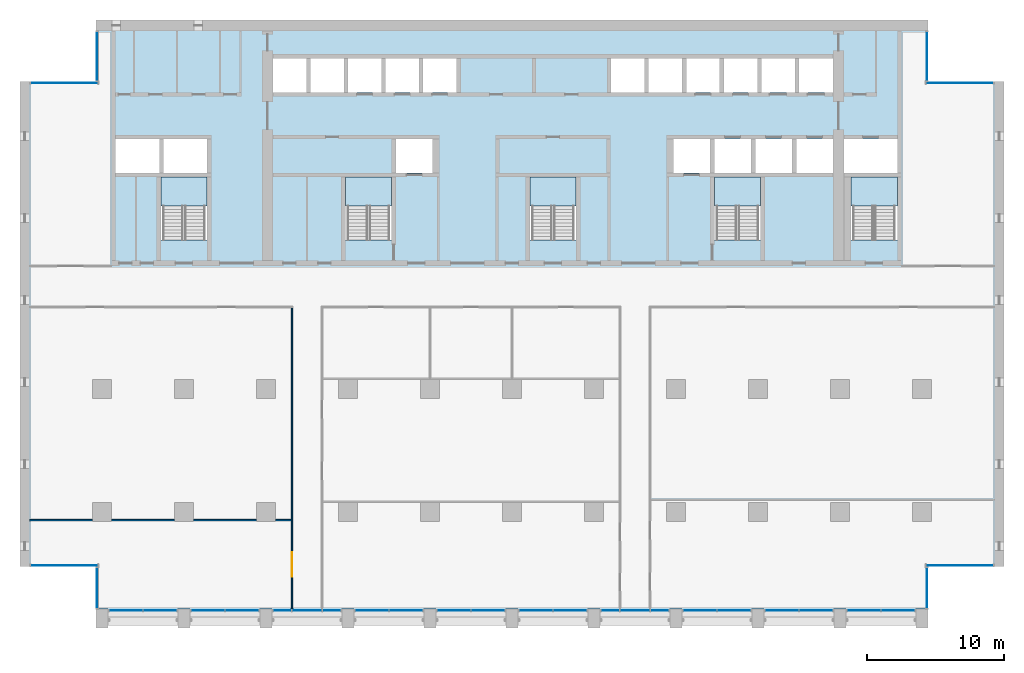
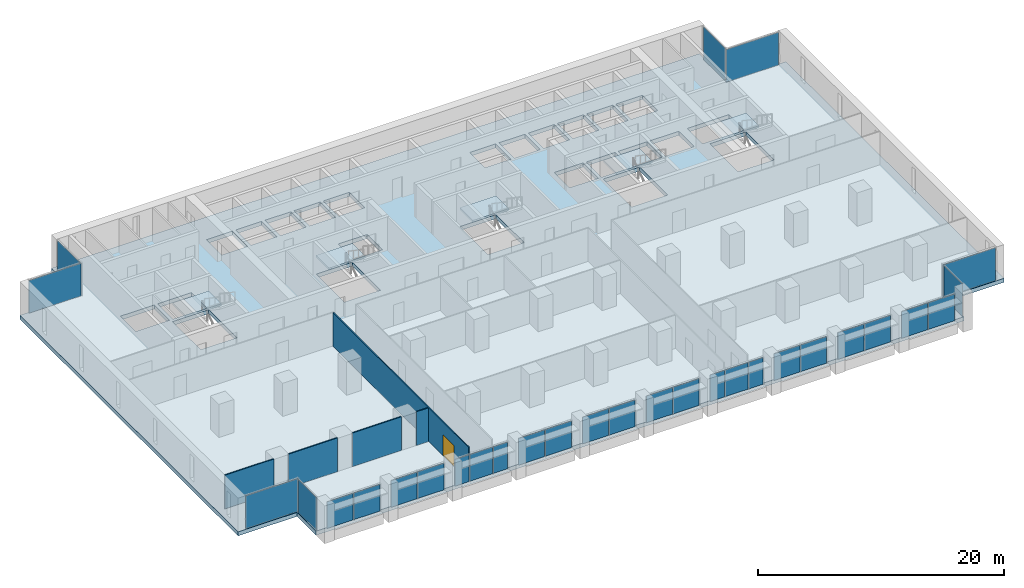
# One storey, part 7 of 15: 30 plates, 6 slabs, 5 walls, 1 door, 1 opening, 23 elements without a shape of their own.
"""IFC4 building model written with IfcOpenShell, lengths in metres."""

from ifc_helpers import new_model, si_unit, direction, frame, frame_2d, origin, origin_2d, place, context, subcontext, project, spatial, polyline, rectangle, outline, extrude, material, layer, layer_set, type_object, element, fill, aggregate, save


model = new_model("IFC4")

# Units and contexts
model_context = context("Model", 3, precision=1e-05, world=origin(), true_north=direction((0.0, 1.0)))
body_context = subcontext(model_context, "Body", "Model", "MODEL_VIEW")
ifc_project = project(units=[si_unit("LENGTHUNIT", "METRE"), si_unit("AREAUNIT", "SQUARE_METRE"), si_unit("VOLUMEUNIT", "CUBIC_METRE"), si_unit("PLANEANGLEUNIT", "RADIAN"), si_unit("MASSUNIT", "GRAM", prefix="KILO")], contexts=[model_context])

# Site, building, storey
site_placement = place(None, origin())
site = spatial("IfcSite", under=ifc_project, at=site_placement, CompositionType="ELEMENT")
building_placement = place(site_placement, origin())
building = spatial("IfcBuilding", under=site, at=building_placement, Name="Calvaro Tower", CompositionType="ELEMENT")
storey_placement = place(building_placement, frame((0.0, 0.0, 110.0)))
storey = spatial("IfcBuildingStorey", under=building, at=storey_placement, Name="L27", CompositionType="ELEMENT", Elevation=110.0)

# Slab
ifc_material_1 = material(Name="Concrete C40/50", Category="concrete")
ifc_layer_1 = layer(ifc_material_1, 0.39990234375)
ifc_layer_set_1 = layer_set([ifc_layer_1], Name="Concrete C40/50")
slab_type_1 = type_object("IfcSlabType", Name="Floor slab 400 C40/50", PredefinedType="FLOOR", material=ifc_layer_set_1)
slab_1_placement = place(storey_placement, frame((0.0, 0.0, -0.39990234375)))
element("IfcSlab", 1, at=slab_1_placement, inside=storey, type_object=slab_type_1, Name="Floor slab", PredefinedType="FLOOR", context=body_context, shape_type="SweptSolid", body=[
    extrude(outline(polyline([(66.449951171875, 6.0), (66.449951171875, 2.89990234375), (5.550048828125, 2.89990234375), (5.550048828125, 6.0), (0.0, 6.0), (0.0, 41.5), (5.550048828125, 41.5), (5.550048828125, 46.0), (66.449951171875, 46.0), (66.449951171875, 41.5), (72.0, 41.5), (72.0, 6.0), (66.449951171875, 6.0)]), holes=[polyline([(10.300048828125, 29.909912109375), (10.300048828125, 34.5), (12.0, 34.5), (13.699951171875, 34.5), (13.699951171875, 29.909912109375), (12.0, 29.909912109375), (10.300048828125, 29.909912109375)]), polyline([(23.800048828125, 29.909912109375), (23.800048828125, 34.5), (25.5, 34.5), (27.199951171875, 34.5), (27.199951171875, 29.909912109375), (25.5, 29.909912109375), (23.800048828125, 29.909912109375)]), polyline([(37.300048828125, 29.909912109375), (37.300048828125, 34.5), (39.0, 34.5), (40.699951171875, 34.5), (40.699951171875, 29.909912109375), (39.0, 29.909912109375), (37.300048828125, 29.909912109375)]), polyline([(50.800048828125, 29.909912109375), (50.800048828125, 34.5), (52.5, 34.5), (54.199951171875, 34.5), (54.199951171875, 29.909912109375), (52.5, 29.909912109375), (50.800048828125, 29.909912109375)]), polyline([(60.800048828125, 29.909912109375), (60.800048828125, 34.5), (62.5, 34.5), (64.199951171875, 34.5), (64.199951171875, 29.909912109375), (62.5, 29.909912109375), (60.800048828125, 29.909912109375)]), polyline([(50.800048828125, 34.800048828125), (53.5, 34.800048828125), (53.5, 37.300048828125), (50.800048828125, 37.300048828125), (50.800048828125, 34.800048828125)]), polyline([(53.800048828125, 34.800048828125), (56.5, 34.800048828125), (56.5, 37.300048828125), (53.800048828125, 37.300048828125), (53.800048828125, 34.800048828125)]), polyline([(56.800048828125, 34.800048828125), (59.5, 34.800048828125), (59.5, 37.300048828125), (56.800048828125, 37.300048828125), (56.800048828125, 34.800048828125)]), polyline([(18.5, 40.699951171875), (20.949951171875, 40.699951171875), (20.949951171875, 43.199951171875), (18.5, 43.199951171875), (18.5, 40.699951171875)]), polyline([(21.25, 40.699951171875), (23.699951171875, 40.699951171875), (23.699951171875, 43.199951171875), (21.25, 43.199951171875), (21.25, 40.699951171875)]), polyline([(24.0, 40.699951171875), (26.449951171875, 40.699951171875), (26.449951171875, 43.199951171875), (24.0, 43.199951171875), (24.0, 40.699951171875)]), polyline([(26.75, 40.699951171875), (29.199951171875, 40.699951171875), (29.199951171875, 43.199951171875), (26.75, 43.199951171875), (26.75, 40.699951171875)]), polyline([(29.5, 40.699951171875), (31.949951171875, 40.699951171875), (31.949951171875, 43.199951171875), (29.5, 43.199951171875), (29.5, 40.699951171875)]), polyline([(43.25, 40.699951171875), (45.699951171875, 40.699951171875), (45.699951171875, 43.199951171875), (43.25, 43.199951171875), (43.25, 40.699951171875)]), polyline([(46.0, 40.699951171875), (48.449951171875, 40.699951171875), (48.449951171875, 43.199951171875), (46.0, 43.199951171875), (46.0, 40.699951171875)]), polyline([(48.75, 40.699951171875), (51.199951171875, 40.699951171875), (51.199951171875, 43.199951171875), (48.75, 43.199951171875), (48.75, 40.699951171875)]), polyline([(51.5, 40.699951171875), (53.949951171875, 40.699951171875), (53.949951171875, 43.199951171875), (51.5, 43.199951171875), (51.5, 40.699951171875)]), polyline([(54.25, 40.699951171875), (56.699951171875, 40.699951171875), (56.699951171875, 43.199951171875), (54.25, 43.199951171875), (54.25, 40.699951171875)]), polyline([(57.0, 40.699951171875), (59.5, 40.699951171875), (59.5, 43.199951171875), (57.0, 43.199951171875), (57.0, 40.699951171875)]), polyline([(7.0, 34.800048828125), (10.199951171875, 34.800048828125), (10.199951171875, 37.300048828125), (7.0, 37.300048828125), (7.0, 34.800048828125)]), polyline([(10.5, 34.800048828125), (13.699951171875, 34.800048828125), (13.699951171875, 37.300048828125), (10.5, 37.300048828125), (10.5, 34.800048828125)]), polyline([(60.300048828125, 34.800048828125), (64.199951171875, 34.800048828125), (64.199951171875, 37.300048828125), (60.300048828125, 37.300048828125), (60.300048828125, 34.800048828125)]), polyline([(27.5, 34.800048828125), (30.199951171875, 34.800048828125), (30.199951171875, 37.300048828125), (27.5, 37.300048828125), (27.5, 34.800048828125)]), polyline([(47.800048828125, 34.800048828125), (50.5, 34.800048828125), (50.5, 37.300048828125), (47.800048828125, 37.300048828125), (47.800048828125, 34.800048828125)])]), origin(), (0.0, 0.0, 1.0), 0.39990234375),
])

# Curtain wall, plates
ifc_material_2 = material(Name="Anodised aluminium", Category="aluminium")
curtain_wall_type = type_object("IfcCurtainWallType", Name="Office curtain wall, middle zone", PredefinedType="NOTDEFINED", material=ifc_material_2)
curtain_wall_1_placement = place(storey_placement, origin())
curtain_wall_1 = element("IfcCurtainWall", 2, at=curtain_wall_1_placement, inside=storey, type_object=curtain_wall_type, Name="CW2 south curtain wall", PredefinedType="NOTDEFINED")
ifc_material_3 = material(Name="Glass", Category="glass")
ifc_layer_2 = layer(ifc_material_3, 0.031982421875)
ifc_layer_set_2 = layer_set([ifc_layer_2], Name="Glass")
plate_type = type_object("IfcPlateType", Name="Glass panel S2 32", PredefinedType="CURTAIN_PANEL", material=ifc_layer_set_2)
plate_1_placement = place(storey_placement, frame((7.742431640625, 2.800048828125, 0.0), z_axis=(0.0, 0.0, 1.0), x_axis=(1.0, 0.0, 0.0)))
plate_1 = element("IfcPlate", 3, at=plate_1_placement, type_object=plate_type, Name="CW2 glass panel 1.1", PredefinedType="CURTAIN_PANEL", context=body_context, shape_type="SweptSolid", body=[
    extrude(rectangle(XDim=2.445068359375, YDim=0.031982421875, at=origin_2d()), origin(), (0.0, 0.0, 1.0), 2.64990234375),
])
plate_2_placement = place(storey_placement, frame((10.257568359375, 2.800048828125, 0.0), z_axis=(0.0, 0.0, 1.0), x_axis=(1.0, 0.0, 0.0)))
plate_2 = element("IfcPlate", 4, at=plate_2_placement, type_object=plate_type, Name="CW2 glass panel 2.1", PredefinedType="CURTAIN_PANEL", context=body_context, shape_type="SweptSolid", body=[
    extrude(rectangle(XDim=2.445068359375, YDim=0.031982421875, at=origin_2d()), origin(), (0.0, 0.0, 1.0), 2.64990234375),
])
aggregate(curtain_wall_1, [plate_1, plate_2])

curtain_wall_2_placement = place(storey_placement, origin())
curtain_wall_2 = element("IfcCurtainWall", 5, at=curtain_wall_2_placement, inside=storey, type_object=curtain_wall_type, Name="CW2 south curtain wall", PredefinedType="NOTDEFINED")
plate_3_placement = place(storey_placement, frame((13.742431640625, 2.800048828125, 0.0), z_axis=(0.0, 0.0, 1.0), x_axis=(1.0, 0.0, 0.0)))
plate_3 = element("IfcPlate", 6, at=plate_3_placement, type_object=plate_type, Name="CW2 glass panel 1.1", PredefinedType="CURTAIN_PANEL", context=body_context, shape_type="SweptSolid", body=[
    extrude(rectangle(XDim=2.445068359375, YDim=0.031982421875, at=origin_2d()), origin(), (0.0, 0.0, 1.0), 2.64990234375),
])
plate_4_placement = place(storey_placement, frame((16.257568359375, 2.800048828125, 0.0), z_axis=(0.0, 0.0, 1.0), x_axis=(1.0, 0.0, 0.0)))
plate_4 = element("IfcPlate", 7, at=plate_4_placement, type_object=plate_type, Name="CW2 glass panel 2.1", PredefinedType="CURTAIN_PANEL", context=body_context, shape_type="SweptSolid", body=[
    extrude(rectangle(XDim=2.445068359375, YDim=0.031982421875, at=origin_2d()), origin(), (0.0, 0.0, 1.0), 2.64990234375),
])
aggregate(curtain_wall_2, [plate_3, plate_4])

curtain_wall_3_placement = place(storey_placement, origin())
curtain_wall_3 = element("IfcCurtainWall", 8, at=curtain_wall_3_placement, inside=storey, type_object=curtain_wall_type, Name="CW2 south curtain wall", PredefinedType="NOTDEFINED")
plate_5_placement = place(storey_placement, frame((19.1923828125, 2.800048828125, 0.0), z_axis=(0.0, 0.0, 1.0), x_axis=(1.0, 0.0, 0.0)))
plate_5 = element("IfcPlate", 9, at=plate_5_placement, type_object=plate_type, Name="CW2 glass panel 1.1", PredefinedType="CURTAIN_PANEL", context=body_context, shape_type="SweptSolid", body=[
    extrude(rectangle(XDim=1.344970703125, YDim=0.031982421875, at=origin_2d()), origin(), (0.0, 0.0, 1.0), 2.64990234375),
])
plate_6_placement = place(storey_placement, frame((21.0, 2.800048828125, 0.0), z_axis=(0.0, 0.0, 1.0), x_axis=(1.0, 0.0, 0.0)))
plate_6 = element("IfcPlate", 10, at=plate_6_placement, type_object=plate_type, Name="CW2 glass panel 2.1", PredefinedType="CURTAIN_PANEL", context=body_context, shape_type="SweptSolid", body=[
    extrude(rectangle(XDim=2.1298828125, YDim=0.031982421875, at=origin_2d()), origin(), (0.0, 0.0, 1.0), 2.64990234375),
])
plate_7_placement = place(storey_placement, frame((22.8076171875, 2.800048828125, 0.0), z_axis=(0.0, 0.0, 1.0), x_axis=(1.0, 0.0, 0.0)))
plate_7 = element("IfcPlate", 11, at=plate_7_placement, type_object=plate_type, Name="CW2 glass panel 3.1", PredefinedType="CURTAIN_PANEL", context=body_context, shape_type="SweptSolid", body=[
    extrude(rectangle(XDim=1.344970703125, YDim=0.031982421875, at=origin_2d()), origin(), (0.0, 0.0, 1.0), 2.64990234375),
])
aggregate(curtain_wall_3, [plate_5, plate_6, plate_7])

curtain_wall_4_placement = place(storey_placement, origin())
curtain_wall_4 = element("IfcCurtainWall", 12, at=curtain_wall_4_placement, inside=storey, type_object=curtain_wall_type, Name="CW2 south curtain wall", PredefinedType="NOTDEFINED")
plate_8_placement = place(storey_placement, frame((25.742431640625, 2.800048828125, 0.0), z_axis=(0.0, 0.0, 1.0), x_axis=(1.0, 0.0, 0.0)))
plate_8 = element("IfcPlate", 13, at=plate_8_placement, type_object=plate_type, Name="CW2 glass panel 1.1", PredefinedType="CURTAIN_PANEL", context=body_context, shape_type="SweptSolid", body=[
    extrude(rectangle(XDim=2.445068359375, YDim=0.031982421875, at=origin_2d()), origin(), (0.0, 0.0, 1.0), 2.64990234375),
])
plate_9_placement = place(storey_placement, frame((28.257568359375, 2.800048828125, 0.0), z_axis=(0.0, 0.0, 1.0), x_axis=(1.0, 0.0, 0.0)))
plate_9 = element("IfcPlate", 14, at=plate_9_placement, type_object=plate_type, Name="CW2 glass panel 2.1", PredefinedType="CURTAIN_PANEL", context=body_context, shape_type="SweptSolid", body=[
    extrude(rectangle(XDim=2.445068359375, YDim=0.031982421875, at=origin_2d()), origin(), (0.0, 0.0, 1.0), 2.64990234375),
])
aggregate(curtain_wall_4, [plate_8, plate_9])

curtain_wall_5_placement = place(storey_placement, origin())
curtain_wall_5 = element("IfcCurtainWall", 15, at=curtain_wall_5_placement, inside=storey, type_object=curtain_wall_type, Name="CW2 south curtain wall", PredefinedType="NOTDEFINED")
plate_10_placement = place(storey_placement, frame((31.742431640625, 2.800048828125, 0.0), z_axis=(0.0, 0.0, 1.0), x_axis=(1.0, 0.0, 0.0)))
plate_10 = element("IfcPlate", 16, at=plate_10_placement, type_object=plate_type, Name="CW2 glass panel 1.1", PredefinedType="CURTAIN_PANEL", context=body_context, shape_type="SweptSolid", body=[
    extrude(rectangle(XDim=2.445068359375, YDim=0.031982421875, at=origin_2d()), origin(), (0.0, 0.0, 1.0), 2.64990234375),
])
plate_11_placement = place(storey_placement, frame((34.257568359375, 2.800048828125, 0.0), z_axis=(0.0, 0.0, 1.0), x_axis=(1.0, 0.0, 0.0)))
plate_11 = element("IfcPlate", 17, at=plate_11_placement, type_object=plate_type, Name="CW2 glass panel 2.1", PredefinedType="CURTAIN_PANEL", context=body_context, shape_type="SweptSolid", body=[
    extrude(rectangle(XDim=2.445068359375, YDim=0.031982421875, at=origin_2d()), origin(), (0.0, 0.0, 1.0), 2.64990234375),
])
aggregate(curtain_wall_5, [plate_10, plate_11])

curtain_wall_6_placement = place(storey_placement, origin())
curtain_wall_6 = element("IfcCurtainWall", 18, at=curtain_wall_6_placement, inside=storey, type_object=curtain_wall_type, Name="CW2 south curtain wall", PredefinedType="NOTDEFINED")
plate_12_placement = place(storey_placement, frame((37.742431640625, 2.800048828125, 0.0), z_axis=(0.0, 0.0, 1.0), x_axis=(1.0, 0.0, 0.0)))
plate_12 = element("IfcPlate", 19, at=plate_12_placement, type_object=plate_type, Name="CW2 glass panel 1.1", PredefinedType="CURTAIN_PANEL", context=body_context, shape_type="SweptSolid", body=[
    extrude(rectangle(XDim=2.445068359375, YDim=0.031982421875, at=origin_2d()), origin(), (0.0, 0.0, 1.0), 2.64990234375),
])
plate_13_placement = place(storey_placement, frame((40.257568359375, 2.800048828125, 0.0), z_axis=(0.0, 0.0, 1.0), x_axis=(1.0, 0.0, 0.0)))
plate_13 = element("IfcPlate", 20, at=plate_13_placement, type_object=plate_type, Name="CW2 glass panel 2.1", PredefinedType="CURTAIN_PANEL", context=body_context, shape_type="SweptSolid", body=[
    extrude(rectangle(XDim=2.445068359375, YDim=0.031982421875, at=origin_2d()), origin(), (0.0, 0.0, 1.0), 2.64990234375),
])
aggregate(curtain_wall_6, [plate_12, plate_13])

curtain_wall_7_placement = place(storey_placement, origin())
curtain_wall_7 = element("IfcCurtainWall", 21, at=curtain_wall_7_placement, inside=storey, type_object=curtain_wall_type, Name="CW2 south curtain wall", PredefinedType="NOTDEFINED")
plate_14_placement = place(storey_placement, frame((43.1923828125, 2.800048828125, 0.0), z_axis=(0.0, 0.0, 1.0), x_axis=(1.0, 0.0, 0.0)))
plate_14 = element("IfcPlate", 22, at=plate_14_placement, type_object=plate_type, Name="CW2 glass panel 1.1", PredefinedType="CURTAIN_PANEL", context=body_context, shape_type="SweptSolid", body=[
    extrude(rectangle(XDim=1.344970703125, YDim=0.031982421875, at=origin_2d()), origin(), (0.0, 0.0, 1.0), 2.64990234375),
])
plate_15_placement = place(storey_placement, frame((45.0, 2.800048828125, 0.0), z_axis=(0.0, 0.0, 1.0), x_axis=(1.0, 0.0, 0.0)))
plate_15 = element("IfcPlate", 23, at=plate_15_placement, type_object=plate_type, Name="CW2 glass panel 2.1", PredefinedType="CURTAIN_PANEL", context=body_context, shape_type="SweptSolid", body=[
    extrude(rectangle(XDim=2.1298828125, YDim=0.031982421875, at=origin_2d()), origin(), (0.0, 0.0, 1.0), 2.64990234375),
])
plate_16_placement = place(storey_placement, frame((46.8076171875, 2.800048828125, 0.0), z_axis=(0.0, 0.0, 1.0), x_axis=(1.0, 0.0, 0.0)))
plate_16 = element("IfcPlate", 24, at=plate_16_placement, type_object=plate_type, Name="CW2 glass panel 3.1", PredefinedType="CURTAIN_PANEL", context=body_context, shape_type="SweptSolid", body=[
    extrude(rectangle(XDim=1.344970703125, YDim=0.031982421875, at=origin_2d()), origin(), (0.0, 0.0, 1.0), 2.64990234375),
])
aggregate(curtain_wall_7, [plate_14, plate_15, plate_16])

curtain_wall_8_placement = place(storey_placement, origin())
curtain_wall_8 = element("IfcCurtainWall", 25, at=curtain_wall_8_placement, inside=storey, type_object=curtain_wall_type, Name="CW2 south curtain wall", PredefinedType="NOTDEFINED")
plate_17_placement = place(storey_placement, frame((49.742431640625, 2.800048828125, 0.0), z_axis=(0.0, 0.0, 1.0), x_axis=(1.0, 0.0, 0.0)))
plate_17 = element("IfcPlate", 26, at=plate_17_placement, type_object=plate_type, Name="CW2 glass panel 1.1", PredefinedType="CURTAIN_PANEL", context=body_context, shape_type="SweptSolid", body=[
    extrude(rectangle(XDim=2.445068359375, YDim=0.031982421875, at=origin_2d()), origin(), (0.0, 0.0, 1.0), 2.64990234375),
])
plate_18_placement = place(storey_placement, frame((52.257568359375, 2.800048828125, 0.0), z_axis=(0.0, 0.0, 1.0), x_axis=(1.0, 0.0, 0.0)))
plate_18 = element("IfcPlate", 27, at=plate_18_placement, type_object=plate_type, Name="CW2 glass panel 2.1", PredefinedType="CURTAIN_PANEL", context=body_context, shape_type="SweptSolid", body=[
    extrude(rectangle(XDim=2.445068359375, YDim=0.031982421875, at=origin_2d()), origin(), (0.0, 0.0, 1.0), 2.64990234375),
])
aggregate(curtain_wall_8, [plate_17, plate_18])

curtain_wall_9_placement = place(storey_placement, origin())
curtain_wall_9 = element("IfcCurtainWall", 28, at=curtain_wall_9_placement, inside=storey, type_object=curtain_wall_type, Name="CW2 south curtain wall", PredefinedType="NOTDEFINED")
plate_19_placement = place(storey_placement, frame((55.742431640625, 2.800048828125, 0.0), z_axis=(0.0, 0.0, 1.0), x_axis=(1.0, 0.0, 0.0)))
plate_19 = element("IfcPlate", 29, at=plate_19_placement, type_object=plate_type, Name="CW2 glass panel 1.1", PredefinedType="CURTAIN_PANEL", context=body_context, shape_type="SweptSolid", body=[
    extrude(rectangle(XDim=2.445068359375, YDim=0.031982421875, at=origin_2d()), origin(), (0.0, 0.0, 1.0), 2.64990234375),
])
plate_20_placement = place(storey_placement, frame((58.257568359375, 2.800048828125, 0.0), z_axis=(0.0, 0.0, 1.0), x_axis=(1.0, 0.0, 0.0)))
plate_20 = element("IfcPlate", 30, at=plate_20_placement, type_object=plate_type, Name="CW2 glass panel 2.1", PredefinedType="CURTAIN_PANEL", context=body_context, shape_type="SweptSolid", body=[
    extrude(rectangle(XDim=2.445068359375, YDim=0.031982421875, at=origin_2d()), origin(), (0.0, 0.0, 1.0), 2.64990234375),
])
aggregate(curtain_wall_9, [plate_19, plate_20])

curtain_wall_10_placement = place(storey_placement, origin())
curtain_wall_10 = element("IfcCurtainWall", 31, at=curtain_wall_10_placement, inside=storey, type_object=curtain_wall_type, Name="CW2 south curtain wall", PredefinedType="NOTDEFINED")
plate_21_placement = place(storey_placement, frame((61.742431640625, 2.800048828125, 0.0), z_axis=(0.0, 0.0, 1.0), x_axis=(1.0, 0.0, 0.0)))
plate_21 = element("IfcPlate", 32, at=plate_21_placement, type_object=plate_type, Name="CW2 glass panel 1.1", PredefinedType="CURTAIN_PANEL", context=body_context, shape_type="SweptSolid", body=[
    extrude(rectangle(XDim=2.445068359375, YDim=0.031982421875, at=origin_2d()), origin(), (0.0, 0.0, 1.0), 2.64990234375),
])
plate_22_placement = place(storey_placement, frame((64.257568359375, 2.800048828125, 0.0), z_axis=(0.0, 0.0, 1.0), x_axis=(1.0, 0.0, 0.0)))
plate_22 = element("IfcPlate", 33, at=plate_22_placement, type_object=plate_type, Name="CW2 glass panel 2.1", PredefinedType="CURTAIN_PANEL", context=body_context, shape_type="SweptSolid", body=[
    extrude(rectangle(XDim=2.445068359375, YDim=0.031982421875, at=origin_2d()), origin(), (0.0, 0.0, 1.0), 2.64990234375),
])
aggregate(curtain_wall_10, [plate_21, plate_22])

# Curtain wall, plate
curtain_wall_11_placement = place(storey_placement, origin())
curtain_wall_11 = element("IfcCurtainWall", 34, at=curtain_wall_11_placement, inside=storey, type_object=curtain_wall_type, Name="CW2 corner curtain wall", PredefinedType="NOTDEFINED")
plate_23_placement = place(storey_placement, frame((5.64990234375, 4.449951171875, 0.0), z_axis=(0.0, 0.0, 1.0), x_axis=(0.0, 1.0, 0.0)))
plate_23 = element("IfcPlate", 35, at=plate_23_placement, type_object=plate_type, Name="CW2 glass panel 1.1", PredefinedType="CURTAIN_PANEL", context=body_context, shape_type="SweptSolid", body=[
    extrude(rectangle(XDim=2.9599609375, YDim=0.031982421875, at=origin_2d()), origin(), (0.0, 0.0, 1.0), 3.25),
])
aggregate(curtain_wall_11, [plate_23])

curtain_wall_12_placement = place(storey_placement, origin())
curtain_wall_12 = element("IfcCurtainWall", 36, at=curtain_wall_12_placement, inside=storey, type_object=curtain_wall_type, Name="CW2 corner curtain wall", PredefinedType="NOTDEFINED")
plate_24_placement = place(storey_placement, frame((3.22509765625, 6.10009765625, 0.0), z_axis=(0.0, 0.0, 1.0), x_axis=(1.0, 0.0, 0.0)))
plate_24 = element("IfcPlate", 37, at=plate_24_placement, type_object=plate_type, Name="CW2 glass panel 1.1", PredefinedType="CURTAIN_PANEL", context=body_context, shape_type="SweptSolid", body=[
    extrude(rectangle(XDim=4.909912109375, YDim=0.031982421875, at=origin_2d()), origin(), (0.0, 0.0, 1.0), 3.25),
])
aggregate(curtain_wall_12, [plate_24])

curtain_wall_13_placement = place(storey_placement, origin())
curtain_wall_13 = element("IfcCurtainWall", 38, at=curtain_wall_13_placement, inside=storey, type_object=curtain_wall_type, Name="CW2 corner curtain wall", PredefinedType="NOTDEFINED")
plate_25_placement = place(storey_placement, frame((5.64990234375, 43.35009765625, 0.0), z_axis=(0.0, 0.0, 1.0), x_axis=(0.0, 1.0, 0.0)))
plate_25 = element("IfcPlate", 39, at=plate_25_placement, type_object=plate_type, Name="CW2 glass panel 1.1", PredefinedType="CURTAIN_PANEL", context=body_context, shape_type="SweptSolid", body=[
    extrude(rectangle(XDim=3.56005859375, YDim=0.031982421875, at=origin_2d()), origin(), (0.0, 0.0, 1.0), 3.25),
])
aggregate(curtain_wall_13, [plate_25])

curtain_wall_14_placement = place(storey_placement, origin())
curtain_wall_14 = element("IfcCurtainWall", 40, at=curtain_wall_14_placement, inside=storey, type_object=curtain_wall_type, Name="CW2 corner curtain wall", PredefinedType="NOTDEFINED")
plate_26_placement = place(storey_placement, frame((3.22509765625, 41.39990234375, 0.0), z_axis=(0.0, 0.0, 1.0), x_axis=(1.0, 0.0, 0.0)))
plate_26 = element("IfcPlate", 41, at=plate_26_placement, type_object=plate_type, Name="CW2 glass panel 1.1", PredefinedType="CURTAIN_PANEL", context=body_context, shape_type="SweptSolid", body=[
    extrude(rectangle(XDim=4.909912109375, YDim=0.031982421875, at=origin_2d()), origin(), (0.0, 0.0, 1.0), 3.25),
])
aggregate(curtain_wall_14, [plate_26])

curtain_wall_15_placement = place(storey_placement, origin())
curtain_wall_15 = element("IfcCurtainWall", 42, at=curtain_wall_15_placement, inside=storey, type_object=curtain_wall_type, Name="CW2 corner curtain wall", PredefinedType="NOTDEFINED")
plate_27_placement = place(storey_placement, frame((66.35009765625, 4.449951171875, 0.0), z_axis=(0.0, 0.0, 1.0), x_axis=(0.0, 1.0, 0.0)))
plate_27 = element("IfcPlate", 43, at=plate_27_placement, type_object=plate_type, Name="CW2 glass panel 1.1", PredefinedType="CURTAIN_PANEL", context=body_context, shape_type="SweptSolid", body=[
    extrude(rectangle(XDim=2.9599609375, YDim=0.031982421875, at=origin_2d()), origin(), (0.0, 0.0, 1.0), 3.25),
])
aggregate(curtain_wall_15, [plate_27])

curtain_wall_16_placement = place(storey_placement, origin())
curtain_wall_16 = element("IfcCurtainWall", 44, at=curtain_wall_16_placement, inside=storey, type_object=curtain_wall_type, Name="CW2 corner curtain wall", PredefinedType="NOTDEFINED")
plate_28_placement = place(storey_placement, frame((68.77490234375, 6.10009765625, 0.0), z_axis=(0.0, 0.0, 1.0), x_axis=(1.0, 0.0, 0.0)))
plate_28 = element("IfcPlate", 45, at=plate_28_placement, type_object=plate_type, Name="CW2 glass panel 1.1", PredefinedType="CURTAIN_PANEL", context=body_context, shape_type="SweptSolid", body=[
    extrude(rectangle(XDim=4.909912109375, YDim=0.031982421875, at=origin_2d()), origin(), (0.0, 0.0, 1.0), 3.25),
])
aggregate(curtain_wall_16, [plate_28])

curtain_wall_17_placement = place(storey_placement, origin())
curtain_wall_17 = element("IfcCurtainWall", 46, at=curtain_wall_17_placement, inside=storey, type_object=curtain_wall_type, Name="CW2 corner curtain wall", PredefinedType="NOTDEFINED")
plate_29_placement = place(storey_placement, frame((66.35009765625, 43.35009765625, 0.0), z_axis=(0.0, 0.0, 1.0), x_axis=(0.0, 1.0, 0.0)))
plate_29 = element("IfcPlate", 47, at=plate_29_placement, type_object=plate_type, Name="CW2 glass panel 1.1", PredefinedType="CURTAIN_PANEL", context=body_context, shape_type="SweptSolid", body=[
    extrude(rectangle(XDim=3.56005859375, YDim=0.031982421875, at=origin_2d()), origin(), (0.0, 0.0, 1.0), 3.25),
])
aggregate(curtain_wall_17, [plate_29])

curtain_wall_18_placement = place(storey_placement, origin())
curtain_wall_18 = element("IfcCurtainWall", 48, at=curtain_wall_18_placement, inside=storey, type_object=curtain_wall_type, Name="CW2 corner curtain wall", PredefinedType="NOTDEFINED")
plate_30_placement = place(storey_placement, frame((68.77490234375, 41.39990234375, 0.0), z_axis=(0.0, 0.0, 1.0), x_axis=(1.0, 0.0, 0.0)))
plate_30 = element("IfcPlate", 49, at=plate_30_placement, type_object=plate_type, Name="CW2 glass panel 1.1", PredefinedType="CURTAIN_PANEL", context=body_context, shape_type="SweptSolid", body=[
    extrude(rectangle(XDim=4.909912109375, YDim=0.031982421875, at=origin_2d()), origin(), (0.0, 0.0, 1.0), 3.25),
])
aggregate(curtain_wall_18, [plate_30])

# Stair, slab
ifc_material_4 = material(Name="Concrete C40/50", Category="concrete")
stair_type = type_object("IfcStairType", Name="Exit stair 1400 2 flights", PredefinedType="HALF_TURN_STAIR", material=ifc_material_4)
stair_1_placement = place(storey_placement, origin())
stair_1 = element("IfcStair", 50, at=stair_1_placement, inside=storey, type_object=stair_type, Name="Exit stair S1", PredefinedType="HALF_TURN_STAIR")
ifc_material_5 = material(Name="Concrete C40/50", Category="concrete")
ifc_layer_3 = layer(ifc_material_5, 0.199951171875)
ifc_layer_set_3 = layer_set([ifc_layer_3], Name="Concrete C40/50")
slab_type_2 = type_object("IfcSlabType", Name="Stair landing", PredefinedType="LANDING", material=ifc_layer_set_3)
slab_2_placement = place(storey_placement, frame((0.0, 0.0, 1.675048828125)))
slab_2 = element("IfcSlab", 51, at=slab_2_placement, type_object=slab_type_2, Name="Exit stair 1, landing 1", PredefinedType="LANDING", context=body_context, shape_type="SweptSolid", body=[
    extrude(outline(polyline([(11.89990234375, 32.389892578125), (10.5, 32.389892578125), (10.5, 32.39990234375), (10.300048828125, 32.39990234375), (10.300048828125, 34.5), (10.5, 34.5), (11.89990234375, 34.5), (12.10009765625, 34.5), (13.5, 34.5), (13.699951171875, 34.5), (13.699951171875, 32.39990234375), (13.5, 32.39990234375), (13.5, 32.389892578125), (12.10009765625, 32.389892578125), (12.10009765625, 32.39990234375), (11.89990234375, 32.39990234375), (11.89990234375, 32.389892578125)])), origin(), (0.0, 0.0, 1.0), 0.199951171875),
])
aggregate(stair_1, [slab_2])

stair_2_placement = place(storey_placement, origin())
stair_2 = element("IfcStair", 52, at=stair_2_placement, inside=storey, type_object=stair_type, Name="Exit stair S2", PredefinedType="HALF_TURN_STAIR")
slab_3_placement = place(storey_placement, frame((0.0, 0.0, 1.675048828125)))
slab_3 = element("IfcSlab", 53, at=slab_3_placement, type_object=slab_type_2, Name="Exit stair 2, landing 1", PredefinedType="LANDING", context=body_context, shape_type="SweptSolid", body=[
    extrude(outline(polyline([(25.39990234375, 32.389892578125), (24.0, 32.389892578125), (24.0, 32.39990234375), (23.800048828125, 32.39990234375), (23.800048828125, 34.5), (24.0, 34.5), (25.39990234375, 34.5), (25.60009765625, 34.5), (27.0, 34.5), (27.199951171875, 34.5), (27.199951171875, 32.39990234375), (27.0, 32.39990234375), (27.0, 32.389892578125), (25.60009765625, 32.389892578125), (25.60009765625, 32.39990234375), (25.39990234375, 32.39990234375), (25.39990234375, 32.389892578125)])), origin(), (0.0, 0.0, 1.0), 0.199951171875),
])
aggregate(stair_2, [slab_3])

stair_3_placement = place(storey_placement, origin())
stair_3 = element("IfcStair", 54, at=stair_3_placement, inside=storey, type_object=stair_type, Name="Exit stair S3", PredefinedType="HALF_TURN_STAIR")
slab_4_placement = place(storey_placement, frame((0.0, 0.0, 1.675048828125)))
slab_4 = element("IfcSlab", 55, at=slab_4_placement, type_object=slab_type_2, Name="Exit stair 3, landing 1", PredefinedType="LANDING", context=body_context, shape_type="SweptSolid", body=[
    extrude(outline(polyline([(38.89990234375, 32.389892578125), (37.5, 32.389892578125), (37.5, 32.39990234375), (37.300048828125, 32.39990234375), (37.300048828125, 34.5), (37.5, 34.5), (38.89990234375, 34.5), (39.10009765625, 34.5), (40.5, 34.5), (40.699951171875, 34.5), (40.699951171875, 32.39990234375), (40.5, 32.39990234375), (40.5, 32.389892578125), (39.10009765625, 32.389892578125), (39.10009765625, 32.39990234375), (38.89990234375, 32.39990234375), (38.89990234375, 32.389892578125)])), origin(), (0.0, 0.0, 1.0), 0.199951171875),
])
aggregate(stair_3, [slab_4])

stair_4_placement = place(storey_placement, origin())
stair_4 = element("IfcStair", 56, at=stair_4_placement, inside=storey, type_object=stair_type, Name="Exit stair S4", PredefinedType="HALF_TURN_STAIR")
slab_5_placement = place(storey_placement, frame((0.0, 0.0, 1.675048828125)))
slab_5 = element("IfcSlab", 57, at=slab_5_placement, type_object=slab_type_2, Name="Exit stair 4, landing 1", PredefinedType="LANDING", context=body_context, shape_type="SweptSolid", body=[
    extrude(outline(polyline([(52.39990234375, 32.389892578125), (51.0, 32.389892578125), (51.0, 32.39990234375), (50.800048828125, 32.39990234375), (50.800048828125, 34.5), (51.0, 34.5), (52.39990234375, 34.5), (52.60009765625, 34.5), (54.0, 34.5), (54.199951171875, 34.5), (54.199951171875, 32.39990234375), (54.0, 32.39990234375), (54.0, 32.389892578125), (52.60009765625, 32.389892578125), (52.60009765625, 32.39990234375), (52.39990234375, 32.39990234375), (52.39990234375, 32.389892578125)])), origin(), (0.0, 0.0, 1.0), 0.199951171875),
])
aggregate(stair_4, [slab_5])

stair_5_placement = place(storey_placement, origin())
stair_5 = element("IfcStair", 58, at=stair_5_placement, inside=storey, type_object=stair_type, Name="Exit stair S5", PredefinedType="HALF_TURN_STAIR")
slab_6_placement = place(storey_placement, frame((0.0, 0.0, 1.675048828125)))
slab_6 = element("IfcSlab", 59, at=slab_6_placement, type_object=slab_type_2, Name="Exit stair 5, landing 1", PredefinedType="LANDING", context=body_context, shape_type="SweptSolid", body=[
    extrude(outline(polyline([(62.39990234375, 32.389892578125), (61.0, 32.389892578125), (61.0, 32.39990234375), (60.800048828125, 32.39990234375), (60.800048828125, 34.5), (61.0, 34.5), (62.39990234375, 34.5), (62.60009765625, 34.5), (64.0, 34.5), (64.199951171875, 34.5), (64.199951171875, 32.39990234375), (64.0, 32.39990234375), (64.0, 32.389892578125), (62.60009765625, 32.389892578125), (62.60009765625, 32.39990234375), (62.39990234375, 32.39990234375), (62.39990234375, 32.389892578125)])), origin(), (0.0, 0.0, 1.0), 0.199951171875),
])
aggregate(stair_5, [slab_6])

# Walls
ifc_material_6 = material(Name="Plasterboard on steel studs", Category="steel")
ifc_layer_4 = layer(ifc_material_6, 0.10009765625)
ifc_layer_set_4 = layer_set([ifc_layer_4], Name="Plasterboard on steel studs")
wall_type = type_object("IfcWallType", Name="Partition 100", PredefinedType="PARTITIONING", material=ifc_layer_set_4)
wall_1_placement = place(storey_placement, frame((18.699951171875, 9.39990234375, 0.0), z_axis=(0.0, 0.0, 1.0), x_axis=(1.0, 0.0, 0.0)))
element("IfcWall", 60, at=wall_1_placement, inside=storey, type_object=wall_type, Name="Partition T17.W001", PredefinedType="PARTITIONING", context=body_context, shape_type="SweptSolid", body=[
    extrude(rectangle(XDim=1.150146484375, YDim=0.10009765625, at=frame_2d((0.5751953125, 0.0))), origin(), (0.0, 0.0, 1.0), 3.35009765625),
])
for number, where, z_axis, x_axis, name in (
    (61, (12.699951171875, 9.39990234375, 0.0), (0.0, 0.0, 1.0), (1.0, 0.0, 0.0), "Partition T17.W002"),
    (62, (6.699951171875, 9.39990234375, 0.0), (0.0, 0.0, 1.0), (1.0, 0.0, 0.0), "Partition T17.W003"),
    (63, (0.699951171875, 9.39990234375, 0.0), (0.0, 0.0, 1.0), (1.0, 0.0, 0.0), "Partition T17.W004"),
):
    element("IfcWall", number, at=place(storey_placement, frame(where, z_axis=z_axis, x_axis=x_axis)), inside=storey, type_object=wall_type, Name=name, PredefinedType="PARTITIONING", context=body_context, shape_type="SweptSolid", body=[
        extrude(rectangle(XDim=4.60009765625, YDim=0.10009765625, at=frame_2d((2.300048828125, 0.0))), origin(), (0.0, 0.0, 1.0), 3.35009765625),
    ])

# Wall, opening, door
wall_2_placement = place(storey_placement, frame((19.89990234375, 2.89990234375, 0.0), z_axis=(0.0, 0.0, 1.0), x_axis=(0.0, 1.0, 0.0)))
wall_2 = element("IfcWall", 64, at=wall_2_placement, inside=storey, type_object=wall_type, Name="Partition T17.W013", PredefinedType="PARTITIONING", context=body_context, shape_type="SweptSolid", body=[
    extrude(rectangle(XDim=22.050048828125, YDim=0.10009765625, at=frame_2d((11.02490234375, 0.0))), origin(), (0.0, 0.0, 1.0), 3.35009765625),
])
opening_placement = place(wall_2_placement, frame((2.35009765625, 0.0, 0.0)))
opening = element("IfcOpeningElement", 65, at=opening_placement, cuts=wall_2, Name="Opening T17.001", PredefinedType="OPENING", context=body_context, shape_type="SweptSolid", body=[
    extrude(rectangle(XDim=1.800048828125, YDim=2.10009765625, at=frame_2d((0.89990234375, 1.050048828125))), frame((0.0, 0.06005859375, 0.0), z_axis=(0.0, -1.0, 0.0), x_axis=(1.0, 0.0, 0.0)), (0.0, 0.0, 1.0), 0.1201171875),
])
ifc_material_7 = material(Name="Timber", Category="wood")
door_type = type_object("IfcDoorType", Name="Internal double door 1800 x 2100", OperationType="DOUBLE_DOOR_SINGLE_SWING", PredefinedType="DOOR", material=ifc_material_7)
door_placement = place(opening_placement, origin())
door = element("IfcDoor", 66, at=door_placement, inside=storey, type_object=door_type, Name="Door T17.001", OperationType="DOUBLE_DOOR_SINGLE_SWING", OverallHeight=2.10009765625, OverallWidth=1.800048828125, PredefinedType="DOOR", context=body_context, shape_type="SweptSolid", body=[
    extrude(rectangle(XDim=1.800048828125, YDim=2.10009765625, at=frame_2d((0.89990234375, 1.050048828125))), frame((0.0, 0.02490234375, 0.0), z_axis=(0.0, -1.0, 0.0), x_axis=(1.0, 0.0, 0.0)), (0.0, 0.0, 1.0), 0.050048828125),
])
fill(opening, door)

save(model, "model.ifc")
